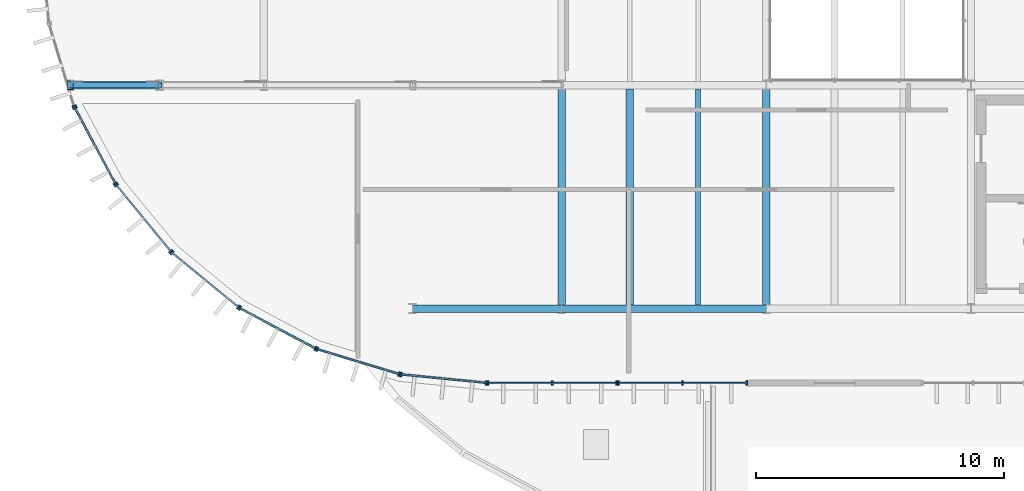
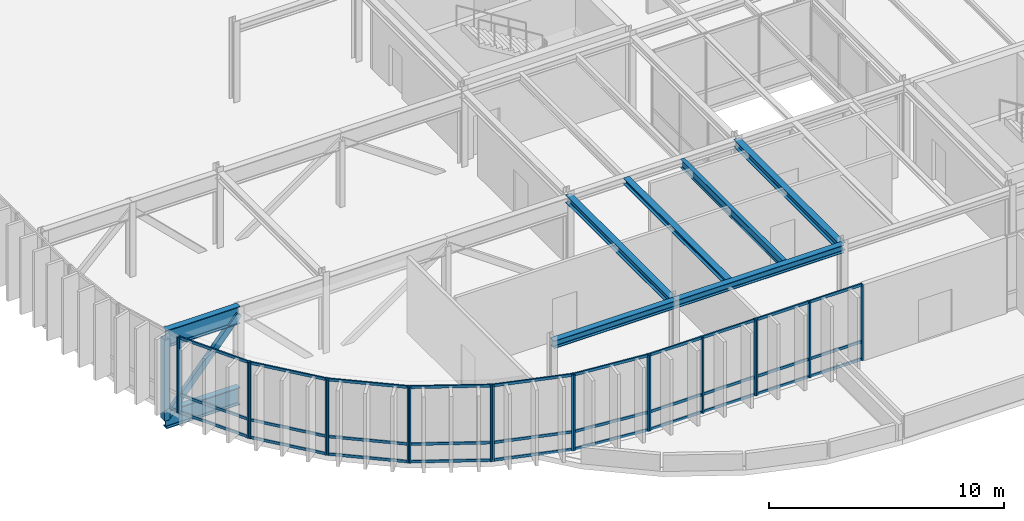
# One storey, part 5 of 29: 45 members, 8 beams, 9 elements without a shape of their own.
"""IFC4 building model written with IfcOpenShell, lengths in metres."""

from ifc_helpers import new_model, si_unit, direction, frame, origin, origin_2d, place, context, subcontext, project, spatial, rectangle, hollow_rectangle, i_section, extrude, material, layer, layer_set, material_profile, profile_set, type_object, element, aggregate, save


model = new_model("IFC4")

# Units and contexts
model_context = context("Model", 3, precision=1e-05, world=origin(), true_north=direction((0.0, 1.0)))
body_context = subcontext(model_context, "Body", "Model", "MODEL_VIEW")
ifc_project = project(units=[si_unit("LENGTHUNIT", "METRE"), si_unit("AREAUNIT", "SQUARE_METRE"), si_unit("VOLUMEUNIT", "CUBIC_METRE"), si_unit("PLANEANGLEUNIT", "RADIAN"), si_unit("MASSUNIT", "GRAM", prefix="KILO")], contexts=[model_context])

# Site, building, storey
site_placement = place(None, origin())
site = spatial("IfcSite", under=ifc_project, at=site_placement, CompositionType="ELEMENT")
building_placement = place(site_placement, origin())
building = spatial("IfcBuilding", under=site, at=building_placement, Name="Montealbar Specialist Clinic", CompositionType="ELEMENT")
storey_placement = place(building_placement, frame((0.0, 0.0, 22.199951171875)))
storey = spatial("IfcBuildingStorey", under=building, at=storey_placement, Name="L05", CompositionType="ELEMENT", Elevation=22.199951171875)

# Beams
ifc_material_1 = material(Name="Steel S355", Category="steel")
ifc_material_profile_1 = material_profile(ifc_material_1, i_section(OverallWidth=0.300048828125, OverallDepth=0.39990234375, WebThickness=0.013427734375, FlangeThickness=0.02392578125, FilletRadius=0.027099609375, at=origin_2d()), Name="HEB 400", Category="steel")
ifc_profile_set_1 = profile_set([ifc_material_profile_1], Name="Steel S355")
beam_type_1 = type_object("IfcBeamType", Name="BM-GIRD-HEB400", PredefinedType="BEAM", material=ifc_profile_set_1)
beam_1_placement = place(storey_placement, frame((60.0, 9.0, 3.739990234375), z_axis=(1.0, 0.0, 0.0), x_axis=(0.0, 1.0, 0.0)))
element("IfcBeam", 1, at=beam_1_placement, inside=storey, type_object=beam_type_1, Name="Beam GX-L05-600-660-90", PredefinedType="BEAM", context=body_context, shape_type="SweptSolid", body=[
    extrude(i_section(OverallWidth=0.300048828125, OverallDepth=0.39990234375, WebThickness=0.013427734375, FlangeThickness=0.02392578125, FilletRadius=0.027099609375, at=origin_2d()), origin(), (0.0, 0.0, 1.0), 6.0),
])
beam_2_placement = place(storey_placement, frame((66.0, 9.0, 3.739990234375), z_axis=(1.0, 0.0, 0.0), x_axis=(0.0, 1.0, 0.0)))
element("IfcBeam", 2, at=beam_2_placement, inside=storey, type_object=beam_type_1, Name="Beam GX-L05-660-742-90", PredefinedType="BEAM", context=body_context, shape_type="SweptSolid", body=[
    extrude(i_section(OverallWidth=0.300048828125, OverallDepth=0.39990234375, WebThickness=0.013427734375, FlangeThickness=0.02392578125, FilletRadius=0.027099609375, at=origin_2d()), origin(), (0.0, 0.0, 1.0), 8.25),
])
for number, where, z_axis, x_axis, name in (
    (3, (66.0, 9.0, 3.739990234375), (0.0, 1.0, 0.0), (-1.0, 0.0, 0.0), "Beam GY-L05-660-90-180"),
    (4, (74.25, 9.0, 3.739990234375), (0.0, 1.0, 0.0), (-1.0, 0.0, 0.0), "Beam GY-L05-742-90-180"),
):
    element("IfcBeam", number, at=place(storey_placement, frame(where, z_axis=z_axis, x_axis=x_axis)), inside=storey, type_object=beam_type_1, Name=name, PredefinedType="BEAM", context=body_context, shape_type="SweptSolid", body=[
        extrude(i_section(OverallWidth=0.300048828125, OverallDepth=0.39990234375, WebThickness=0.013427734375, FlangeThickness=0.02392578125, FilletRadius=0.027099609375, at=origin_2d()), origin(), (0.0, 0.0, 1.0), 9.0),
    ])
ifc_material_profile_2 = material_profile(ifc_material_1, i_section(OverallWidth=0.300048828125, OverallDepth=0.320068359375, WebThickness=0.011474609375, FlangeThickness=0.0205078125, FilletRadius=0.027099609375, at=origin_2d()), Name="HEB 320", Category="steel")
ifc_profile_set_2 = profile_set([ifc_material_profile_2], Name="Steel S355")
beam_type_2 = type_object("IfcBeamType", Name="BM-JST-HEB320", PredefinedType="JOIST", material=ifc_profile_set_2)
beam_3_placement = place(storey_placement, frame((68.75, 9.14990234375, 3.780029296875), z_axis=(0.0, 1.0, 0.0), x_axis=(-1.0, 0.0, 0.0)))
element("IfcBeam", 5, at=beam_3_placement, inside=storey, type_object=beam_type_2, Name="Beam JST-L05-688-92-178", PredefinedType="JOIST", context=body_context, shape_type="SweptSolid", body=[
    extrude(i_section(OverallWidth=0.300048828125, OverallDepth=0.320068359375, WebThickness=0.011474609375, FlangeThickness=0.0205078125, FilletRadius=0.027099609375, at=origin_2d()), origin(), (0.0, 0.0, 1.0), 8.7001953125),
])
ifc_material_profile_3 = material_profile(ifc_material_1, i_section(OverallWidth=0.18994140625, OverallDepth=0.449951171875, WebThickness=0.009521484375, FlangeThickness=0.0146484375, FilletRadius=0.02099609375, at=origin_2d()), Name="IPE 450", Category="steel")
ifc_profile_set_3 = profile_set([ifc_material_profile_3], Name="Steel S355")
beam_type_3 = type_object("IfcBeamType", Name="BM-SEC-IPE450", PredefinedType="BEAM", material=ifc_profile_set_3)
beam_4_placement = place(storey_placement, frame((71.5, 9.14990234375, 3.715087890625), z_axis=(0.0, 1.0, 0.0), x_axis=(-1.0, 0.0, 0.0)))
element("IfcBeam", 6, at=beam_4_placement, inside=storey, type_object=beam_type_3, Name="Beam JST-L05-715-92-178", PredefinedType="BEAM", context=body_context, shape_type="SweptSolid", body=[
    extrude(i_section(OverallWidth=0.18994140625, OverallDepth=0.449951171875, WebThickness=0.009521484375, FlangeThickness=0.0146484375, FilletRadius=0.02099609375, at=origin_2d()), origin(), (0.0, 0.0, 1.0), 8.7001953125),
])
ifc_material_profile_4 = material_profile(ifc_material_1, i_section(OverallWidth=0.300048828125, OverallDepth=0.89990234375, WebThickness=0.0185546875, FlangeThickness=0.034912109375, FilletRadius=0.030029296875, at=origin_2d()), Name="HEB 900", Category="steel")
ifc_profile_set_4 = profile_set([ifc_material_profile_4], Name="Steel S355")
beam_type_4 = type_object("IfcBeamType", Name="BM-XFER-HEB900", PredefinedType="BEAM", material=ifc_profile_set_4)
for number, where, z_axis, x_axis, name in (
    (7, (49.800048828125, 18.0, -0.7900390625), (-1.0, 0.0, 0.0), (0.0, -1.0, 0.0), "Transfer truss TT-W2 bottom chord 4"),
    (8, (49.800048828125, 18.0, 3.41015625), (-1.0, 0.0, 0.0), (0.0, -1.0, 0.0), "Transfer truss TT-W2 top chord 4"),
):
    element("IfcBeam", number, at=place(storey_placement, frame(where, z_axis=z_axis, x_axis=x_axis)), inside=storey, type_object=beam_type_4, Name=name, PredefinedType="BEAM", context=body_context, shape_type="SweptSolid", body=[
        extrude(i_section(OverallWidth=0.300048828125, OverallDepth=0.89990234375, WebThickness=0.0185546875, FlangeThickness=0.034912109375, FilletRadius=0.030029296875, at=origin_2d()), origin(), (0.0, 0.0, 1.0), 3.60009765625),
    ])

# Curtain wall, members
ifc_material_2 = material(Name="Low-E double glazing", Category="glass")
ifc_layer_1 = layer(ifc_material_2, 0.199951171875, Name="Low-E double glazing", Category="glass")
ifc_layer_set_1 = layer_set([ifc_layer_1], Name="Low-E double glazing")
curtain_wall_type_1 = type_object("IfcCurtainWallType", Name="CW-TYPE-39", PredefinedType="NOTDEFINED", material=ifc_layer_set_1)
curtain_wall_1_placement = place(storey_placement, origin())
curtain_wall_1 = element("IfcCurtainWall", 9, at=curtain_wall_1_placement, inside=storey, type_object=curtain_wall_type_1, Name="Unitised Curtain Wall CW-L05-630-60-682-60-222", PredefinedType="NOTDEFINED")
ifc_material_3 = material(Name="Anodised aluminium EN AW-6063", Category="aluminium")
ifc_material_profile_5 = material_profile(ifc_material_3, rectangle(XDim=0.070068359375, YDim=0.179931640625, at=origin_2d()), Name="ALU 70x180", Category="aluminium")
ifc_profile_set_5 = profile_set([ifc_material_profile_5], Name="Anodised aluminium EN AW-6063")
member_type_1 = type_object("IfcMemberType", Name="CW-MUL-200", PredefinedType="MULLION", material=ifc_profile_set_5)
member_1_placement = place(storey_placement, frame((63.0400390625, 6.0, 0.0), z_axis=(0.0, 0.0, 1.0), x_axis=(1.0, 0.0, 0.0)))
member_1 = element("IfcMember", 10, at=member_1_placement, type_object=member_type_1, Name="Curtain Wall Mullion CW-L05-630-60-682-60-222-00", PredefinedType="MULLION", context=body_context, shape_type="SweptSolid", body=[
    extrude(rectangle(XDim=0.070068359375, YDim=0.179931640625, at=origin_2d()), origin(), (0.0, 0.0, 1.0), 3.93994140625),
])
member_2_placement = place(storey_placement, frame((65.625, 6.0, 0.0), z_axis=(0.0, 0.0, 1.0), x_axis=(1.0, 0.0, 0.0)))
member_2 = element("IfcMember", 11, at=member_2_placement, type_object=member_type_1, Name="Curtain Wall Mullion CW-L05-630-60-682-60-222-01", PredefinedType="MULLION", context=body_context, shape_type="SweptSolid", body=[
    extrude(rectangle(XDim=0.070068359375, YDim=0.179931640625, at=origin_2d()), origin(), (0.0, 0.0, 1.0), 3.93994140625),
])
member_3_placement = place(storey_placement, frame((68.2099609375, 6.0, 0.0), z_axis=(0.0, 0.0, 1.0), x_axis=(1.0, 0.0, 0.0)))
member_3 = element("IfcMember", 12, at=member_3_placement, type_object=member_type_1, Name="Curtain Wall Mullion CW-L05-630-60-682-60-222-02", PredefinedType="MULLION", context=body_context, shape_type="SweptSolid", body=[
    extrude(rectangle(XDim=0.070068359375, YDim=0.179931640625, at=origin_2d()), origin(), (0.0, 0.0, 1.0), 3.93994140625),
])

curtain_wall_2_placement = place(storey_placement, origin())
curtain_wall_2 = element("IfcCurtainWall", 13, at=curtain_wall_2_placement, inside=storey, type_object=curtain_wall_type_1, Name="Unitised Curtain Wall CW-L05-682-60-735-60-222", PredefinedType="NOTDEFINED")
member_4_placement = place(storey_placement, frame((68.2900390625, 6.0, 0.0), z_axis=(0.0, 0.0, 1.0), x_axis=(1.0, 0.0, 0.0)))
member_4 = element("IfcMember", 14, at=member_4_placement, type_object=member_type_1, Name="Curtain Wall Mullion CW-L05-682-60-735-60-222-00", PredefinedType="MULLION", context=body_context, shape_type="SweptSolid", body=[
    extrude(rectangle(XDim=0.070068359375, YDim=0.179931640625, at=origin_2d()), origin(), (0.0, 0.0, 1.0), 3.93994140625),
])
member_5_placement = place(storey_placement, frame((70.875, 6.0, 0.0), z_axis=(0.0, 0.0, 1.0), x_axis=(1.0, 0.0, 0.0)))
member_5 = element("IfcMember", 15, at=member_5_placement, type_object=member_type_1, Name="Curtain Wall Mullion CW-L05-682-60-735-60-222-01", PredefinedType="MULLION", context=body_context, shape_type="SweptSolid", body=[
    extrude(rectangle(XDim=0.070068359375, YDim=0.179931640625, at=origin_2d()), origin(), (0.0, 0.0, 1.0), 3.93994140625),
])
member_6_placement = place(storey_placement, frame((73.4599609375, 6.0, 0.0), z_axis=(0.0, 0.0, 1.0), x_axis=(1.0, 0.0, 0.0)))
member_6 = element("IfcMember", 16, at=member_6_placement, type_object=member_type_1, Name="Curtain Wall Mullion CW-L05-682-60-735-60-222-02", PredefinedType="MULLION", context=body_context, shape_type="SweptSolid", body=[
    extrude(rectangle(XDim=0.070068359375, YDim=0.179931640625, at=origin_2d()), origin(), (0.0, 0.0, 1.0), 3.93994140625),
])

ifc_layer_2 = layer(ifc_material_2, 0.199951171875, Name="Low-E double glazing", Category="glass")
ifc_layer_set_2 = layer_set([ifc_layer_2], Name="Low-E double glazing")
curtain_wall_type_2 = type_object("IfcCurtainWallType", Name="CW-TYPE-19", PredefinedType="NOTDEFINED", material=ifc_layer_set_2)
curtain_wall_3_placement = place(storey_placement, origin())
curtain_wall_3 = element("IfcCurtainWall", 17, at=curtain_wall_3_placement, inside=storey, type_object=curtain_wall_type_2, Name="Unitised Curtain Wall CW-L05-630-60-595-63-222", PredefinedType="NOTDEFINED")
member_7_placement = place(storey_placement, frame((62.9599609375, 6.00390625, 0.0), z_axis=(0.0, 0.0, 1.0), x_axis=(-0.995182012183, 0.098044697094, 0.0)))
member_7 = element("IfcMember", 18, at=member_7_placement, type_object=member_type_1, Name="Curtain Wall Mullion CW-L05-630-60-595-63-222-00", PredefinedType="MULLION", context=body_context, shape_type="SweptSolid", body=[
    extrude(rectangle(XDim=0.070068359375, YDim=0.179931640625, at=origin_2d()), origin(), (0.0, 0.0, 1.0), 3.93994140625),
])
member_8_placement = place(storey_placement, frame((59.528076171875, 6.342041015625, 0.0), z_axis=(0.0, 0.0, 1.0), x_axis=(-0.995182012183, 0.098044697094, 0.0)))
member_8 = element("IfcMember", 19, at=member_8_placement, type_object=member_type_1, Name="Curtain Wall Mullion CW-L05-630-60-595-63-222-01", PredefinedType="MULLION", context=body_context, shape_type="SweptSolid", body=[
    extrude(rectangle(XDim=0.070068359375, YDim=0.179931640625, at=origin_2d()), origin(), (0.0, 0.0, 1.0), 3.93994140625),
])

curtain_wall_4_placement = place(storey_placement, origin())
curtain_wall_4 = element("IfcCurtainWall", 20, at=curtain_wall_4_placement, inside=storey, type_object=curtain_wall_type_2, Name="Unitised Curtain Wall CW-L05-595-63-561-74-222", PredefinedType="NOTDEFINED")
member_9_placement = place(storey_placement, frame((59.449951171875, 6.35791015625, 0.0), z_axis=(0.0, 0.0, 1.0), x_axis=(-0.956948083701, 0.290259134399, 0.0)))
member_9 = element("IfcMember", 21, at=member_9_placement, type_object=member_type_1, Name="Curtain Wall Mullion CW-L05-595-63-561-74-222-00", PredefinedType="MULLION", context=body_context, shape_type="SweptSolid", body=[
    extrude(rectangle(XDim=0.070068359375, YDim=0.179931640625, at=origin_2d()), origin(), (0.0, 0.0, 1.0), 3.93994140625),
])
member_10_placement = place(storey_placement, frame((56.14990234375, 7.35791015625, 0.0), z_axis=(0.0, 0.0, 1.0), x_axis=(-0.956948083701, 0.290259134399, 0.0)))
member_10 = element("IfcMember", 22, at=member_10_placement, type_object=member_type_1, Name="Curtain Wall Mullion CW-L05-595-63-561-74-222-01", PredefinedType="MULLION", context=body_context, shape_type="SweptSolid", body=[
    extrude(rectangle(XDim=0.070068359375, YDim=0.179931640625, at=origin_2d()), origin(), (0.0, 0.0, 1.0), 3.93994140625),
])

curtain_wall_5_placement = place(storey_placement, origin())
curtain_wall_5 = element("IfcCurtainWall", 23, at=curtain_wall_5_placement, inside=storey, type_object=curtain_wall_type_2, Name="Unitised Curtain Wall CW-L05-561-74-530-90-222", PredefinedType="NOTDEFINED")
member_11_placement = place(storey_placement, frame((56.076904296875, 7.388916015625, 0.0), z_axis=(0.0, 0.0, 1.0), x_axis=(-0.881850411644, 0.471529268958, 0.0)))
member_11 = element("IfcMember", 24, at=member_11_placement, type_object=member_type_1, Name="Curtain Wall Mullion CW-L05-561-74-530-90-222-00", PredefinedType="MULLION", context=body_context, shape_type="SweptSolid", body=[
    extrude(rectangle(XDim=0.070068359375, YDim=0.179931640625, at=origin_2d()), origin(), (0.0, 0.0, 1.0), 3.93994140625),
])
member_12_placement = place(storey_placement, frame((53.034912109375, 9.014892578125, 0.0), z_axis=(0.0, 0.0, 1.0), x_axis=(-0.881850411644, 0.471529268958, 0.0)))
member_12 = element("IfcMember", 25, at=member_12_placement, type_object=member_type_1, Name="Curtain Wall Mullion CW-L05-561-74-530-90-222-01", PredefinedType="MULLION", context=body_context, shape_type="SweptSolid", body=[
    extrude(rectangle(XDim=0.070068359375, YDim=0.179931640625, at=origin_2d()), origin(), (0.0, 0.0, 1.0), 3.93994140625),
])

curtain_wall_6_placement = place(storey_placement, origin())
curtain_wall_6 = element("IfcCurtainWall", 26, at=curtain_wall_6_placement, inside=storey, type_object=curtain_wall_type_2, Name="Unitised Curtain Wall CW-L05-530-90-503-113-222", PredefinedType="NOTDEFINED")
member_13_placement = place(storey_placement, frame((52.968994140625, 9.05908203125, 0.0), z_axis=(0.0, 0.0, 1.0), x_axis=(-0.773123255923, 0.634255808922, 0.0)))
member_13 = element("IfcMember", 27, at=member_13_placement, type_object=member_type_1, Name="Curtain Wall Mullion CW-L05-530-90-503-113-222-00", PredefinedType="MULLION", context=body_context, shape_type="SweptSolid", body=[
    extrude(rectangle(XDim=0.070068359375, YDim=0.179931640625, at=origin_2d()), origin(), (0.0, 0.0, 1.0), 3.93994140625),
])
member_14_placement = place(storey_placement, frame((50.302978515625, 11.2470703125, 0.0), z_axis=(0.0, 0.0, 1.0), x_axis=(-0.773123255923, 0.634255808922, 0.0)))
member_14 = element("IfcMember", 28, at=member_14_placement, type_object=member_type_1, Name="Curtain Wall Mullion CW-L05-530-90-503-113-222-01", PredefinedType="MULLION", context=body_context, shape_type="SweptSolid", body=[
    extrude(rectangle(XDim=0.070068359375, YDim=0.179931640625, at=origin_2d()), origin(), (0.0, 0.0, 1.0), 3.93994140625),
])

curtain_wall_7_placement = place(storey_placement, origin())
curtain_wall_7 = element("IfcCurtainWall", 29, at=curtain_wall_7_placement, inside=storey, type_object=curtain_wall_type_2, Name="Unitised Curtain Wall CW-L05-503-113-480-140-222", PredefinedType="NOTDEFINED")
member_15_placement = place(storey_placement, frame((50.2470703125, 11.302978515625, 0.0), z_axis=(0.0, 0.0, 1.0), x_axis=(-0.634255808922, 0.773123255923, 0.0)))
member_15 = element("IfcMember", 30, at=member_15_placement, type_object=member_type_1, Name="Curtain Wall Mullion CW-L05-503-113-480-140-222-00", PredefinedType="MULLION", context=body_context, shape_type="SweptSolid", body=[
    extrude(rectangle(XDim=0.070068359375, YDim=0.179931640625, at=origin_2d()), origin(), (0.0, 0.0, 1.0), 3.93994140625),
])
member_16_placement = place(storey_placement, frame((48.05908203125, 13.968994140625, 0.0), z_axis=(0.0, 0.0, 1.0), x_axis=(-0.634255808922, 0.773123255923, 0.0)))
member_16 = element("IfcMember", 31, at=member_16_placement, type_object=member_type_1, Name="Curtain Wall Mullion CW-L05-503-113-480-140-222-01", PredefinedType="MULLION", context=body_context, shape_type="SweptSolid", body=[
    extrude(rectangle(XDim=0.070068359375, YDim=0.179931640625, at=origin_2d()), origin(), (0.0, 0.0, 1.0), 3.93994140625),
])

curtain_wall_8_placement = place(storey_placement, origin())
curtain_wall_8 = element("IfcCurtainWall", 32, at=curtain_wall_8_placement, inside=storey, type_object=curtain_wall_type_2, Name="Unitised Curtain Wall CW-L05-480-140-464-171-222", PredefinedType="NOTDEFINED")
member_17_placement = place(storey_placement, frame((48.014892578125, 14.034912109375, 0.0), z_axis=(0.0, 0.0, 1.0), x_axis=(-0.471529268958, 0.881850411644, 0.0)))
member_17 = element("IfcMember", 33, at=member_17_placement, type_object=member_type_1, Name="Curtain Wall Mullion CW-L05-480-140-464-171-222-00", PredefinedType="MULLION", context=body_context, shape_type="SweptSolid", body=[
    extrude(rectangle(XDim=0.070068359375, YDim=0.179931640625, at=origin_2d()), origin(), (0.0, 0.0, 1.0), 3.93994140625),
])
member_18_placement = place(storey_placement, frame((46.388916015625, 17.076904296875, 0.0), z_axis=(0.0, 0.0, 1.0), x_axis=(-0.471529268958, 0.881850411644, 0.0)))
member_18 = element("IfcMember", 34, at=member_18_placement, type_object=member_type_1, Name="Curtain Wall Mullion CW-L05-480-140-464-171-222-01", PredefinedType="MULLION", context=body_context, shape_type="SweptSolid", body=[
    extrude(rectangle(XDim=0.070068359375, YDim=0.179931640625, at=origin_2d()), origin(), (0.0, 0.0, 1.0), 3.93994140625),
])

# Curtain wall, member
curtain_wall_9_placement = place(storey_placement, origin())
curtain_wall_9 = element("IfcCurtainWall", 35, at=curtain_wall_9_placement, inside=storey, type_object=curtain_wall_type_2, Name="Unitised Curtain Wall CW-L05-464-171-453-205-222", PredefinedType="NOTDEFINED")
member_19_placement = place(storey_placement, frame((46.35791015625, 17.14990234375, 0.0), z_axis=(0.0, 0.0, 1.0), x_axis=(-0.290259134399, 0.956948083701, 0.0)))
member_19 = element("IfcMember", 36, at=member_19_placement, type_object=member_type_1, Name="Curtain Wall Mullion CW-L05-464-171-453-205-222-00", PredefinedType="MULLION", context=body_context, shape_type="SweptSolid", body=[
    extrude(rectangle(XDim=0.070068359375, YDim=0.179931640625, at=origin_2d()), origin(), (0.0, 0.0, 1.0), 3.93994140625),
])
aggregate(curtain_wall_9, [member_19])

# Member
ifc_material_4 = material(Name="Powder-coated aluminium", Category="aluminium")
ifc_material_profile_6 = material_profile(ifc_material_4, rectangle(XDim=0.070068359375, YDim=0.139892578125, at=origin_2d()), Name="ALU 70x140", Category="aluminium")
ifc_profile_set_6 = profile_set([ifc_material_profile_6], Name="Powder-coated aluminium")
member_type_2 = type_object("IfcMemberType", Name="CW-TRN-140", PredefinedType="USERDEFINED", material=ifc_profile_set_6)
member_20_placement = place(storey_placement, frame((63.050048828125, 6.0, 0.0400390625), z_axis=(1.0, 0.0, 0.0), x_axis=(0.0, 1.0, 0.0)))
member_20 = element("IfcMember", 37, at=member_20_placement, type_object=member_type_2, Name="Curtain Wall Transom CW-L05-630-60-682-60-222-00", ObjectType="TRANSOM", PredefinedType="USERDEFINED", context=body_context, shape_type="SweptSolid", body=[
    extrude(rectangle(XDim=0.070068359375, YDim=0.139892578125, at=origin_2d()), origin(), (0.0, 0.0, 1.0), 5.14990234375),
])

member_21_placement = place(storey_placement, frame((63.050048828125, 6.0, 0.949951171875), z_axis=(1.0, 0.0, 0.0), x_axis=(0.0, 1.0, 0.0)))
member_21 = element("IfcMember", 38, at=member_21_placement, type_object=member_type_2, Name="Curtain Wall Transom CW-L05-630-60-682-60-222-01", ObjectType="TRANSOM", PredefinedType="USERDEFINED", context=body_context, shape_type="SweptSolid", body=[
    extrude(rectangle(XDim=0.070068359375, YDim=0.139892578125, at=origin_2d()), origin(), (0.0, 0.0, 1.0), 5.14990234375),
])

member_22_placement = place(storey_placement, frame((63.050048828125, 6.0, 3.900146484375), z_axis=(1.0, 0.0, 0.0), x_axis=(0.0, 1.0, 0.0)))
member_22 = element("IfcMember", 39, at=member_22_placement, type_object=member_type_2, Name="Curtain Wall Transom CW-L05-630-60-682-60-222-02", ObjectType="TRANSOM", PredefinedType="USERDEFINED", context=body_context, shape_type="SweptSolid", body=[
    extrude(rectangle(XDim=0.070068359375, YDim=0.139892578125, at=origin_2d()), origin(), (0.0, 0.0, 1.0), 5.14990234375),
])

aggregate(curtain_wall_1, [member_1, member_2, member_3, member_20, member_21, member_22])

member_23_placement = place(storey_placement, frame((68.300048828125, 6.0, 0.0400390625), z_axis=(1.0, 0.0, 0.0), x_axis=(0.0, 1.0, 0.0)))
member_23 = element("IfcMember", 40, at=member_23_placement, type_object=member_type_2, Name="Curtain Wall Transom CW-L05-682-60-735-60-222-00", ObjectType="TRANSOM", PredefinedType="USERDEFINED", context=body_context, shape_type="SweptSolid", body=[
    extrude(rectangle(XDim=0.070068359375, YDim=0.139892578125, at=origin_2d()), origin(), (0.0, 0.0, 1.0), 5.14990234375),
])

member_24_placement = place(storey_placement, frame((68.300048828125, 6.0, 0.949951171875), z_axis=(1.0, 0.0, 0.0), x_axis=(0.0, 1.0, 0.0)))
member_24 = element("IfcMember", 41, at=member_24_placement, type_object=member_type_2, Name="Curtain Wall Transom CW-L05-682-60-735-60-222-01", ObjectType="TRANSOM", PredefinedType="USERDEFINED", context=body_context, shape_type="SweptSolid", body=[
    extrude(rectangle(XDim=0.070068359375, YDim=0.139892578125, at=origin_2d()), origin(), (0.0, 0.0, 1.0), 5.14990234375),
])

member_25_placement = place(storey_placement, frame((68.300048828125, 6.0, 3.900146484375), z_axis=(1.0, 0.0, 0.0), x_axis=(0.0, 1.0, 0.0)))
member_25 = element("IfcMember", 42, at=member_25_placement, type_object=member_type_2, Name="Curtain Wall Transom CW-L05-682-60-735-60-222-02", ObjectType="TRANSOM", PredefinedType="USERDEFINED", context=body_context, shape_type="SweptSolid", body=[
    extrude(rectangle(XDim=0.070068359375, YDim=0.139892578125, at=origin_2d()), origin(), (0.0, 0.0, 1.0), 5.14990234375),
])

aggregate(curtain_wall_2, [member_4, member_5, member_6, member_23, member_24, member_25])

member_26_placement = place(storey_placement, frame((62.949951171875, 6.0048828125, 0.0400390625), z_axis=(-0.995180678623, 0.098058232162, 0.0), x_axis=(-0.098058232162, -0.995180678623, 0.0)))
member_26 = element("IfcMember", 43, at=member_26_placement, type_object=member_type_2, Name="Curtain Wall Transom CW-L05-630-60-595-63-222-00", ObjectType="TRANSOM", PredefinedType="USERDEFINED", context=body_context, shape_type="SweptSolid", body=[
    extrude(rectangle(XDim=0.070068359375, YDim=0.139892578125, at=origin_2d()), origin(), (0.0, 0.0, 1.0), 3.428466796875),
])

member_27_placement = place(storey_placement, frame((62.949951171875, 6.0048828125, 0.949951171875), z_axis=(-0.995180678623, 0.098058232162, 0.0), x_axis=(-0.098058232162, -0.995180678623, 0.0)))
member_27 = element("IfcMember", 44, at=member_27_placement, type_object=member_type_2, Name="Curtain Wall Transom CW-L05-630-60-595-63-222-01", ObjectType="TRANSOM", PredefinedType="USERDEFINED", context=body_context, shape_type="SweptSolid", body=[
    extrude(rectangle(XDim=0.070068359375, YDim=0.139892578125, at=origin_2d()), origin(), (0.0, 0.0, 1.0), 3.428466796875),
])

member_28_placement = place(storey_placement, frame((62.949951171875, 6.0048828125, 3.900146484375), z_axis=(-0.995180678623, 0.098058232162, 0.0), x_axis=(-0.098058232162, -0.995180678623, 0.0)))
member_28 = element("IfcMember", 45, at=member_28_placement, type_object=member_type_2, Name="Curtain Wall Transom CW-L05-630-60-595-63-222-02", ObjectType="TRANSOM", PredefinedType="USERDEFINED", context=body_context, shape_type="SweptSolid", body=[
    extrude(rectangle(XDim=0.070068359375, YDim=0.139892578125, at=origin_2d()), origin(), (0.0, 0.0, 1.0), 3.428466796875),
])

aggregate(curtain_wall_3, [member_7, member_8, member_26, member_27, member_28])

member_29_placement = place(storey_placement, frame((59.43994140625, 6.361083984375, 0.0400390625), z_axis=(-0.957028598092, 0.289993555849, 0.0), x_axis=(-0.289993555849, -0.957028598092, 0.0)))
member_29 = element("IfcMember", 46, at=member_29_placement, type_object=member_type_2, Name="Curtain Wall Transom CW-L05-595-63-561-74-222-00", ObjectType="TRANSOM", PredefinedType="USERDEFINED", context=body_context, shape_type="SweptSolid", body=[
    extrude(rectangle(XDim=0.070068359375, YDim=0.139892578125, at=origin_2d()), origin(), (0.0, 0.0, 1.0), 3.42724609375),
])

member_30_placement = place(storey_placement, frame((59.43994140625, 6.361083984375, 0.949951171875), z_axis=(-0.957028598092, 0.289993555849, 0.0), x_axis=(-0.289993555849, -0.957028598092, 0.0)))
member_30 = element("IfcMember", 47, at=member_30_placement, type_object=member_type_2, Name="Curtain Wall Transom CW-L05-595-63-561-74-222-01", ObjectType="TRANSOM", PredefinedType="USERDEFINED", context=body_context, shape_type="SweptSolid", body=[
    extrude(rectangle(XDim=0.070068359375, YDim=0.139892578125, at=origin_2d()), origin(), (0.0, 0.0, 1.0), 3.42724609375),
])

member_31_placement = place(storey_placement, frame((59.43994140625, 6.361083984375, 3.900146484375), z_axis=(-0.957028598092, 0.289993555849, 0.0), x_axis=(-0.289993555849, -0.957028598092, 0.0)))
member_31 = element("IfcMember", 48, at=member_31_placement, type_object=member_type_2, Name="Curtain Wall Transom CW-L05-595-63-561-74-222-02", ObjectType="TRANSOM", PredefinedType="USERDEFINED", context=body_context, shape_type="SweptSolid", body=[
    extrude(rectangle(XDim=0.070068359375, YDim=0.139892578125, at=origin_2d()), origin(), (0.0, 0.0, 1.0), 3.42724609375),
])

aggregate(curtain_wall_4, [member_9, member_10, member_29, member_30, member_31])

member_32_placement = place(storey_placement, frame((56.068115234375, 7.39404296875, 0.0400390625), z_axis=(-0.881980147273, 0.471286558069, 0.0), x_axis=(-0.471286558069, -0.881980147273, 0.0)))
member_32 = element("IfcMember", 49, at=member_32_placement, type_object=member_type_2, Name="Curtain Wall Transom CW-L05-561-74-530-90-222-00", ObjectType="TRANSOM", PredefinedType="USERDEFINED", context=body_context, shape_type="SweptSolid", body=[
    extrude(rectangle(XDim=0.070068359375, YDim=0.139892578125, at=origin_2d()), origin(), (0.0, 0.0, 1.0), 3.428955078125),
])

member_33_placement = place(storey_placement, frame((56.068115234375, 7.39404296875, 0.949951171875), z_axis=(-0.881980147273, 0.471286558069, 0.0), x_axis=(-0.471286558069, -0.881980147273, 0.0)))
member_33 = element("IfcMember", 50, at=member_33_placement, type_object=member_type_2, Name="Curtain Wall Transom CW-L05-561-74-530-90-222-01", ObjectType="TRANSOM", PredefinedType="USERDEFINED", context=body_context, shape_type="SweptSolid", body=[
    extrude(rectangle(XDim=0.070068359375, YDim=0.139892578125, at=origin_2d()), origin(), (0.0, 0.0, 1.0), 3.428955078125),
])

member_34_placement = place(storey_placement, frame((56.068115234375, 7.39404296875, 3.900146484375), z_axis=(-0.881980147273, 0.471286558069, 0.0), x_axis=(-0.471286558069, -0.881980147273, 0.0)))
member_34 = element("IfcMember", 51, at=member_34_placement, type_object=member_type_2, Name="Curtain Wall Transom CW-L05-561-74-530-90-222-02", ObjectType="TRANSOM", PredefinedType="USERDEFINED", context=body_context, shape_type="SweptSolid", body=[
    extrude(rectangle(XDim=0.070068359375, YDim=0.139892578125, at=origin_2d()), origin(), (0.0, 0.0, 1.0), 3.428955078125),
])

aggregate(curtain_wall_5, [member_11, member_12, member_32, member_33, member_34])

member_35_placement = place(storey_placement, frame((52.9609375, 9.06591796875, 0.0400390625), z_axis=(-0.773102924144, 0.634280591441, 0.0), x_axis=(-0.634280591441, -0.773102924144, 0.0)))
member_35 = element("IfcMember", 52, at=member_35_placement, type_object=member_type_2, Name="Curtain Wall Transom CW-L05-530-90-503-113-222-00", ObjectType="TRANSOM", PredefinedType="USERDEFINED", context=body_context, shape_type="SweptSolid", body=[
    extrude(rectangle(XDim=0.070068359375, YDim=0.139892578125, at=origin_2d()), origin(), (0.0, 0.0, 1.0), 3.427734375),
])

member_36_placement = place(storey_placement, frame((52.9609375, 9.06591796875, 0.949951171875), z_axis=(-0.773102924144, 0.634280591441, 0.0), x_axis=(-0.634280591441, -0.773102924144, 0.0)))
member_36 = element("IfcMember", 53, at=member_36_placement, type_object=member_type_2, Name="Curtain Wall Transom CW-L05-530-90-503-113-222-01", ObjectType="TRANSOM", PredefinedType="USERDEFINED", context=body_context, shape_type="SweptSolid", body=[
    extrude(rectangle(XDim=0.070068359375, YDim=0.139892578125, at=origin_2d()), origin(), (0.0, 0.0, 1.0), 3.427734375),
])

member_37_placement = place(storey_placement, frame((52.9609375, 9.06591796875, 3.900146484375), z_axis=(-0.773102924144, 0.634280591441, 0.0), x_axis=(-0.634280591441, -0.773102924144, 0.0)))
member_37 = element("IfcMember", 54, at=member_37_placement, type_object=member_type_2, Name="Curtain Wall Transom CW-L05-530-90-503-113-222-02", ObjectType="TRANSOM", PredefinedType="USERDEFINED", context=body_context, shape_type="SweptSolid", body=[
    extrude(rectangle(XDim=0.070068359375, YDim=0.139892578125, at=origin_2d()), origin(), (0.0, 0.0, 1.0), 3.427734375),
])

aggregate(curtain_wall_6, [member_13, member_14, member_35, member_36, member_37])

member_38_placement = place(storey_placement, frame((50.239990234375, 11.31103515625, 0.0400390625), z_axis=(-0.634280591441, 0.773102924144, 0.0), x_axis=(-0.773102924144, -0.634280591441, 0.0)))
member_38 = element("IfcMember", 55, at=member_38_placement, type_object=member_type_2, Name="Curtain Wall Transom CW-L05-503-113-480-140-222-00", ObjectType="TRANSOM", PredefinedType="USERDEFINED", context=body_context, shape_type="SweptSolid", body=[
    extrude(rectangle(XDim=0.070068359375, YDim=0.139892578125, at=origin_2d()), origin(), (0.0, 0.0, 1.0), 3.427734375),
])

member_39_placement = place(storey_placement, frame((50.239990234375, 11.31103515625, 0.949951171875), z_axis=(-0.634280591441, 0.773102924144, 0.0), x_axis=(-0.773102924144, -0.634280591441, 0.0)))
member_39 = element("IfcMember", 56, at=member_39_placement, type_object=member_type_2, Name="Curtain Wall Transom CW-L05-503-113-480-140-222-01", ObjectType="TRANSOM", PredefinedType="USERDEFINED", context=body_context, shape_type="SweptSolid", body=[
    extrude(rectangle(XDim=0.070068359375, YDim=0.139892578125, at=origin_2d()), origin(), (0.0, 0.0, 1.0), 3.427734375),
])

member_40_placement = place(storey_placement, frame((50.239990234375, 11.31103515625, 3.900146484375), z_axis=(-0.634280591441, 0.773102924144, 0.0), x_axis=(-0.773102924144, -0.634280591441, 0.0)))
member_40 = element("IfcMember", 57, at=member_40_placement, type_object=member_type_2, Name="Curtain Wall Transom CW-L05-503-113-480-140-222-02", ObjectType="TRANSOM", PredefinedType="USERDEFINED", context=body_context, shape_type="SweptSolid", body=[
    extrude(rectangle(XDim=0.070068359375, YDim=0.139892578125, at=origin_2d()), origin(), (0.0, 0.0, 1.0), 3.427734375),
])

aggregate(curtain_wall_7, [member_15, member_16, member_38, member_39, member_40])

member_41_placement = place(storey_placement, frame((48.010009765625, 14.0439453125, 0.0400390625), z_axis=(-0.471286558069, 0.881980147273, 0.0), x_axis=(-0.881980147273, -0.471286558069, 0.0)))
member_41 = element("IfcMember", 58, at=member_41_placement, type_object=member_type_2, Name="Curtain Wall Transom CW-L05-480-140-464-171-222-00", ObjectType="TRANSOM", PredefinedType="USERDEFINED", context=body_context, shape_type="SweptSolid", body=[
    extrude(rectangle(XDim=0.070068359375, YDim=0.139892578125, at=origin_2d()), origin(), (0.0, 0.0, 1.0), 3.428955078125),
])

member_42_placement = place(storey_placement, frame((48.010009765625, 14.0439453125, 0.949951171875), z_axis=(-0.471286558069, 0.881980147273, 0.0), x_axis=(-0.881980147273, -0.471286558069, 0.0)))
member_42 = element("IfcMember", 59, at=member_42_placement, type_object=member_type_2, Name="Curtain Wall Transom CW-L05-480-140-464-171-222-01", ObjectType="TRANSOM", PredefinedType="USERDEFINED", context=body_context, shape_type="SweptSolid", body=[
    extrude(rectangle(XDim=0.070068359375, YDim=0.139892578125, at=origin_2d()), origin(), (0.0, 0.0, 1.0), 3.428955078125),
])

member_43_placement = place(storey_placement, frame((48.010009765625, 14.0439453125, 3.900146484375), z_axis=(-0.471286558069, 0.881980147273, 0.0), x_axis=(-0.881980147273, -0.471286558069, 0.0)))
member_43 = element("IfcMember", 60, at=member_43_placement, type_object=member_type_2, Name="Curtain Wall Transom CW-L05-480-140-464-171-222-02", ObjectType="TRANSOM", PredefinedType="USERDEFINED", context=body_context, shape_type="SweptSolid", body=[
    extrude(rectangle(XDim=0.070068359375, YDim=0.139892578125, at=origin_2d()), origin(), (0.0, 0.0, 1.0), 3.428955078125),
])

aggregate(curtain_wall_8, [member_17, member_18, member_41, member_42, member_43])

# Members
ifc_material_profile_7 = material_profile(ifc_material_1, hollow_rectangle(XDim=0.199951171875, YDim=0.300048828125, WallThickness=0.012451171875, at=origin_2d()), Name="RHS 300x200x12.5", Category="steel")
ifc_profile_set_7 = profile_set([ifc_material_profile_7], Name="Steel S355")
member_type_3 = type_object("IfcMemberType", Name="MB-TRUSS-DIAG", PredefinedType="BRACE", material=ifc_profile_set_7)
member_44_placement = place(storey_placement, frame((49.800048828125, 18.0, 3.41015625), z_axis=(-0.650784104474, 0.0, -0.759262832861), x_axis=(0.0, -1.0, 0.0)))
element("IfcMember", 61, at=member_44_placement, inside=storey, type_object=member_type_3, Name="Transfer truss TT-W2 web diagonal 4", PredefinedType="BRACE", context=body_context, shape_type="SweptSolid", body=[
    extrude(hollow_rectangle(XDim=0.199951171875, YDim=0.300048828125, WallThickness=0.012451171875, at=origin_2d()), origin(), (0.0, 0.0, 1.0), 5.531982421875),
])
ifc_material_profile_8 = material_profile(ifc_material_1, hollow_rectangle(XDim=0.25, YDim=0.35009765625, WallThickness=0.012451171875, at=origin_2d()), Name="RHS 350x250x12.5", Category="steel")
ifc_profile_set_8 = profile_set([ifc_material_profile_8], Name="Steel S355")
member_type_4 = type_object("IfcMemberType", Name="MB-TRUSS-POST", PredefinedType="BRACE", material=ifc_profile_set_8)
member_45_placement = place(storey_placement, frame((46.199951171875, 18.0, -0.7900390625), z_axis=(0.0, 0.0, 1.0), x_axis=(1.0, 0.0, 0.0)))
element("IfcMember", 62, at=member_45_placement, inside=storey, type_object=member_type_4, Name="Transfer truss TT-W2 vertical post 4", PredefinedType="BRACE", context=body_context, shape_type="SweptSolid", body=[
    extrude(hollow_rectangle(XDim=0.25, YDim=0.35009765625, WallThickness=0.012451171875, at=origin_2d()), origin(), (0.0, 0.0, 1.0), 4.2001953125),
])

save(model, "model.ifc")
